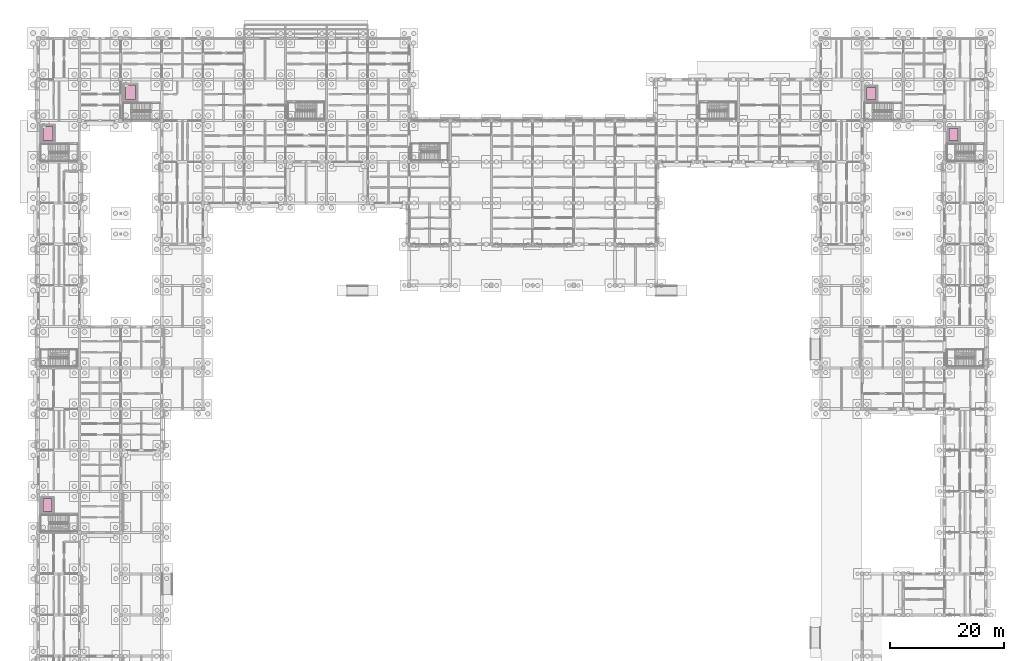
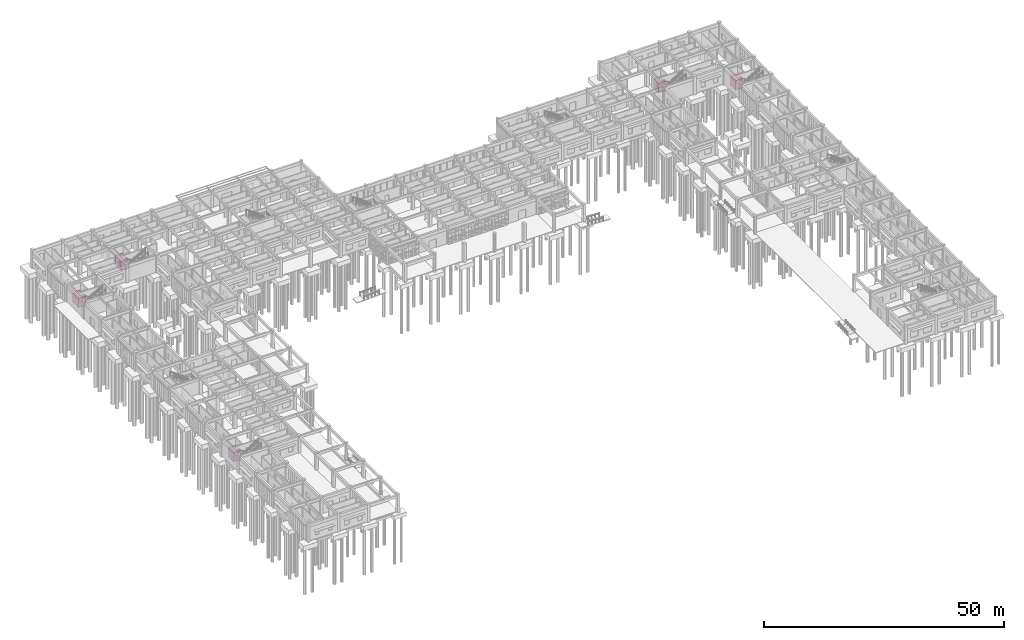
# One storey, part 111 of 111: 5 transport elements.
"""IFC4 building model written with IfcOpenShell, lengths in metres."""

from ifc_helpers import new_model, si_unit, direction, frame, origin, origin_2d, place, context, subcontext, project, spatial, rectangle, extrude, material, type_object, element, save


model = new_model("IFC4")

# Units and contexts
model_context = context("Model", 3, precision=1e-05, world=origin(), true_north=direction((0.0, 1.0)))
body_context = subcontext(model_context, "Body", "Model", "MODEL_VIEW")
ifc_project = project(units=[si_unit("LENGTHUNIT", "METRE"), si_unit("AREAUNIT", "SQUARE_METRE"), si_unit("VOLUMEUNIT", "CUBIC_METRE"), si_unit("PLANEANGLEUNIT", "RADIAN"), si_unit("MASSUNIT", "GRAM", prefix="KILO")], contexts=[model_context])

# Site, building, storey
site_placement = place(None, origin())
site = spatial("IfcSite", under=ifc_project, at=site_placement, CompositionType="ELEMENT")
building_placement = place(site_placement, origin())
building = spatial("IfcBuilding", under=site, at=building_placement, Name="Aldebral Square Health Centre", CompositionType="ELEMENT")
storey_placement = place(building_placement, origin())
storey = spatial("IfcBuildingStorey", under=building, at=storey_placement, Name="L00", CompositionType="ELEMENT", Elevation=0.0)

# Transport elements
ifc_material_1 = material(Name="Stainless steel surgical goods elevator car", Category="steel")
transport_element_type_1 = type_object("IfcTransportElementType", Name="LFT-GDS-1800", PredefinedType="ELEVATOR", material=ifc_material_1)
transport_element_placement = place(storey_placement, frame((1.60009765625, 33.625, 0.0), z_axis=(0.0, 0.0, 1.0), x_axis=(1.0, 0.0, 0.0)))
element("IfcTransportElement", 1, at=transport_element_placement, inside=storey, type_object=transport_element_type_1, Name="LF-05", PredefinedType="ELEVATOR", context=body_context, shape_type="SweptSolid", body=[
    extrude(rectangle(XDim=1.60009765625, YDim=2.199951171875, at=origin_2d()), origin(), (0.0, 0.0, 1.0), 2.39990234375),
])
ifc_material_2 = material(Name="Stainless steel passenger elevator car", Category="steel")
transport_element_type_2 = type_object("IfcTransportElementType", Name="LFT-PAS-1600", PredefinedType="ELEVATOR", material=ifc_material_2)
for number, where, z_axis, x_axis, name in (
    (2, (160.0, 98.375, 0.0), (0.0, 0.0, 1.0), (1.0, 0.0, 0.0), "LF-03"),
    (3, (145.60009765625, 105.574951171875, 0.0), (0.0, 0.0, 1.0), (1.0, 0.0, 0.0), "LF-04"),
):
    element("IfcTransportElement", number, at=place(storey_placement, frame(where, z_axis=z_axis, x_axis=x_axis)), inside=storey, type_object=transport_element_type_2, Name=name, PredefinedType="ELEVATOR", context=body_context, shape_type="SweptSolid", body=[
        extrude(rectangle(XDim=1.60009765625, YDim=2.10009765625, at=origin_2d()), origin(), (0.0, 0.0, 1.0), 2.39990234375),
    ])
ifc_material_3 = material(Name="Stainless steel stretcher elevator car", Category="steel")
transport_element_type_3 = type_object("IfcTransportElementType", Name="LFT-STR-2000", PredefinedType="ELEVATOR", material=ifc_material_3)
for number, where, z_axis, x_axis, name in (
    (4, (1.699951171875, 98.574951171875, 0.0), (0.0, 0.0, 1.0), (1.0, 0.0, 0.0), "LF-01"),
    (5, (16.10009765625, 105.77490234375, 0.0), (0.0, 0.0, 1.0), (1.0, 0.0, 0.0), "LF-02"),
):
    element("IfcTransportElement", number, at=place(storey_placement, frame(where, z_axis=z_axis, x_axis=x_axis)), inside=storey, type_object=transport_element_type_3, Name=name, PredefinedType="ELEVATOR", context=body_context, shape_type="SweptSolid", body=[
        extrude(rectangle(XDim=1.800048828125, YDim=2.5, at=origin_2d()), origin(), (0.0, 0.0, 1.0), 2.39990234375),
    ])

save(model, "model.ifc")
